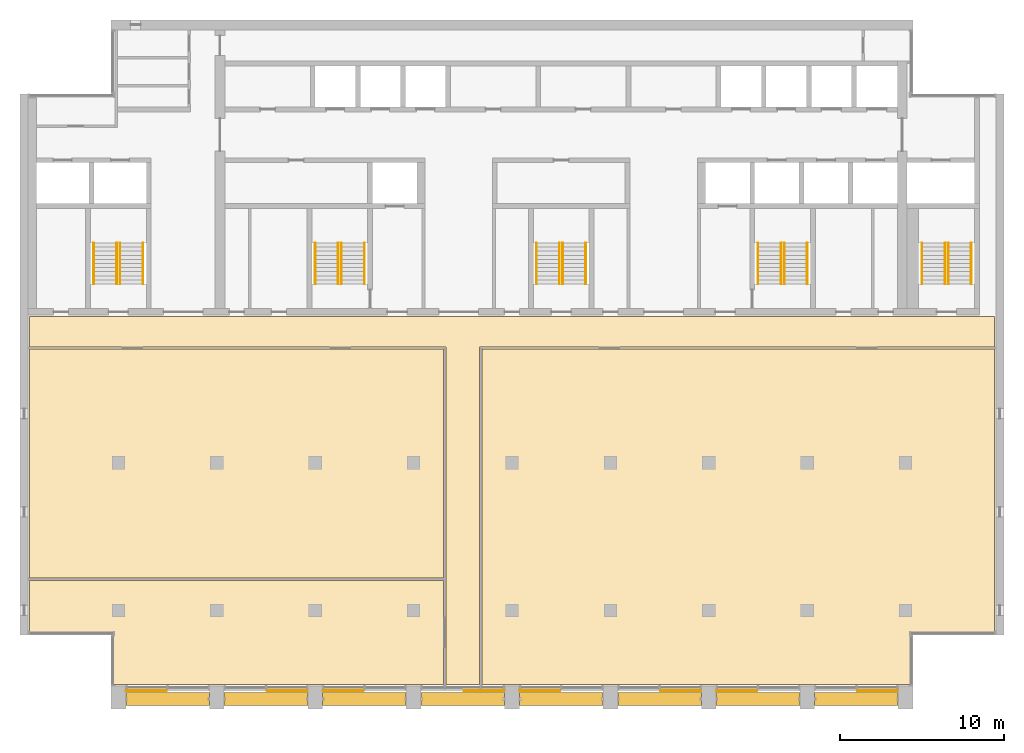
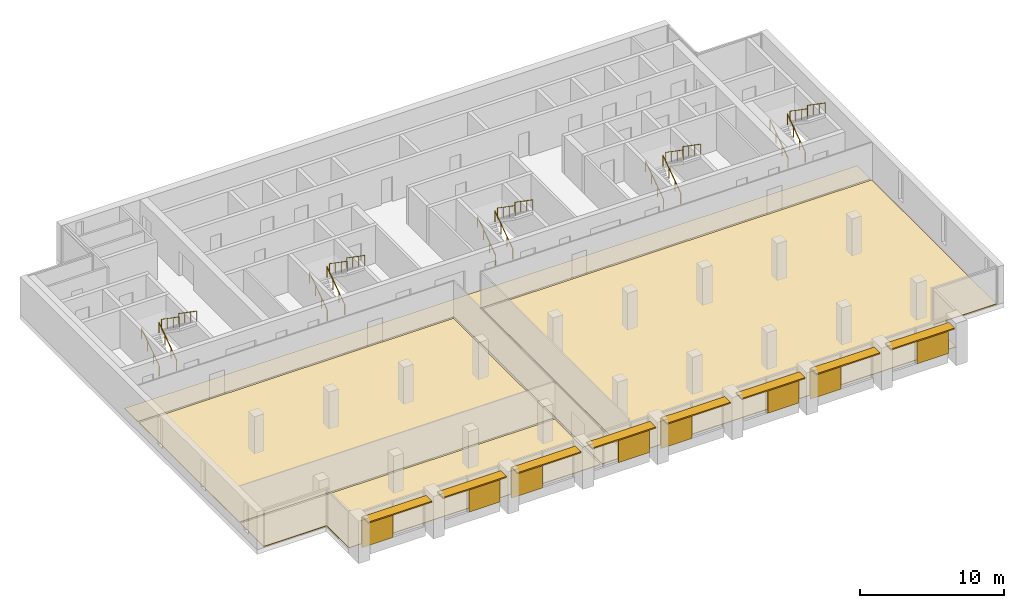
# One storey, part 14 of 14: 20 railings, 16 shading devices, 4 coverings, 5 elements without a shape of their own.
"""IFC4 building model written with IfcOpenShell, lengths in metres."""

from ifc_helpers import new_model, si_unit, direction, frame, origin, origin_2d, place, context, subcontext, project, spatial, polyline, rectangle, circle, outline, extrude, material, layer, layer_set, material_profile, profile_set, type_object, element, aggregate, save


model = new_model("IFC4")

# Units and contexts
model_context = context("Model", 3, precision=1e-05, world=origin(), true_north=direction((0.0, 1.0)))
body_context = subcontext(model_context, "Body", "Model", "MODEL_VIEW")
ifc_project = project(units=[si_unit("LENGTHUNIT", "METRE"), si_unit("AREAUNIT", "SQUARE_METRE"), si_unit("VOLUMEUNIT", "CUBIC_METRE"), si_unit("PLANEANGLEUNIT", "RADIAN"), si_unit("MASSUNIT", "GRAM", prefix="KILO")], contexts=[model_context])

# Site, building, storey
site_placement = place(None, origin())
site = spatial("IfcSite", under=ifc_project, at=site_placement, CompositionType="ELEMENT")
building_placement = place(site_placement, origin())
building = spatial("IfcBuilding", under=site, at=building_placement, Name="Calvaro Tower", CompositionType="ELEMENT")
storey_placement = place(building_placement, frame((0.0, 0.0, 262.14990234375)))
storey = spatial("IfcBuildingStorey", under=building, at=storey_placement, Name="L66", CompositionType="ELEMENT", Elevation=262.14990234375)

# Shading devices
ifc_material_1 = material(Name="Anodised aluminium", Category="aluminium")
ifc_material_profile = material_profile(ifc_material_1, rectangle(XDim=0.800048828125, YDim=0.10009765625, at=origin_2d()), Name="Brise-soleil blade 800 x 100")
ifc_profile_set = profile_set([ifc_material_profile], Name="Anodised aluminium")
shading_device_type_1 = type_object("IfcShadingDeviceType", Name="Brise-soleil blade 800 x 100", PredefinedType="JALOUSIE", material=ifc_profile_set)
for number, where, z_axis, x_axis, name in (
    (1, (12.449951171875, 4.60009765625, 2.650146484375), (1.0, 0.0, 0.0), (0.0, 1.0, 0.0), "Brise-soleil blade 1"),
    (2, (18.449951171875, 4.60009765625, 2.650146484375), (1.0, 0.0, 0.0), (0.0, 1.0, 0.0), "Brise-soleil blade 2"),
    (3, (24.449951171875, 4.60009765625, 2.650146484375), (1.0, 0.0, 0.0), (0.0, 1.0, 0.0), "Brise-soleil blade 3"),
    (4, (30.449951171875, 4.60009765625, 2.650146484375), (1.0, 0.0, 0.0), (0.0, 1.0, 0.0), "Brise-soleil blade 4"),
    (5, (36.449951171875, 4.60009765625, 2.650146484375), (1.0, 0.0, 0.0), (0.0, 1.0, 0.0), "Brise-soleil blade 5"),
    (6, (42.449951171875, 4.60009765625, 2.650146484375), (1.0, 0.0, 0.0), (0.0, 1.0, 0.0), "Brise-soleil blade 6"),
    (7, (48.449951171875, 4.60009765625, 2.650146484375), (1.0, 0.0, 0.0), (0.0, 1.0, 0.0), "Brise-soleil blade 7"),
    (8, (54.449951171875, 4.60009765625, 2.650146484375), (1.0, 0.0, 0.0), (0.0, 1.0, 0.0), "Brise-soleil blade 8"),
):
    element("IfcShadingDevice", number, at=place(storey_placement, frame(where, z_axis=z_axis, x_axis=x_axis)), inside=storey, type_object=shading_device_type_1, Name=name, PredefinedType="JALOUSIE", context=body_context, shape_type="SweptSolid", body=[
        extrude(rectangle(XDim=0.800048828125, YDim=0.10009765625, at=origin_2d()), origin(), (0.0, 0.0, 1.0), 5.10009765625),
    ])

# Coverings
ifc_material_2 = material(Name="Cement screed with carpet tile finish")
ifc_layer_1 = layer(ifc_material_2, 0.050048828125)
ifc_layer_set_1 = layer_set([ifc_layer_1], Name="Cement screed with carpet tile finish")
covering_type = type_object("IfcCoveringType", Name="Floor finish 50", PredefinedType="FLOORING", material=ifc_layer_set_1)
covering_1_placement = place(storey_placement, origin())
element("IfcCovering", 9, at=covering_1_placement, inside=storey, type_object=covering_type, Name="Floor finish 38.01", PredefinedType="FLOORING", context=body_context, shape_type="SweptSolid", body=[
    extrude(outline(polyline([(31.969970703125, 5.469970703125), (31.969970703125, 26.070068359375), (6.570068359375, 26.070068359375), (6.570068359375, 27.929931640625), (65.429931640625, 27.929931640625), (65.429931640625, 26.070068359375), (34.030029296875, 26.070068359375), (34.030029296875, 5.469970703125), (31.969970703125, 5.469970703125)])), origin(), (0.0, 0.0, 1.0), 0.050048828125),
])
covering_2_placement = place(storey_placement, origin())
element("IfcCovering", 10, at=covering_2_placement, inside=storey, type_object=covering_type, Name="Floor finish 38.02", PredefinedType="FLOORING", context=body_context, shape_type="SweptSolid", body=[
    extrude(outline(polyline([(31.830078125, 11.830078125), (31.830078125, 5.469970703125), (11.6201171875, 5.469970703125), (11.6201171875, 8.570068359375), (6.570068359375, 8.570068359375), (6.570068359375, 11.830078125), (31.830078125, 11.830078125)])), origin(), (0.0, 0.0, 1.0), 0.050048828125),
])
covering_3_placement = place(storey_placement, origin())
element("IfcCovering", 11, at=covering_3_placement, inside=storey, type_object=covering_type, Name="Floor finish 38.04", PredefinedType="FLOORING", context=body_context, shape_type="SweptSolid", body=[
    extrude(outline(polyline([(31.830078125, 25.929931640625), (31.830078125, 11.969970703125), (6.570068359375, 11.969970703125), (6.570068359375, 25.929931640625), (31.830078125, 25.929931640625)])), origin(), (0.0, 0.0, 1.0), 0.050048828125),
])
covering_4_placement = place(storey_placement, origin())
element("IfcCovering", 12, at=covering_4_placement, inside=storey, type_object=covering_type, Name="Floor finish 38.03", PredefinedType="FLOORING", context=body_context, shape_type="SweptSolid", body=[
    extrude(outline(polyline([(65.429931640625, 8.570068359375), (60.3798828125, 8.570068359375), (60.3798828125, 5.469970703125), (34.169921875, 5.469970703125), (34.169921875, 25.929931640625), (65.429931640625, 25.929931640625), (65.429931640625, 8.570068359375)])), origin(), (0.0, 0.0, 1.0), 0.050048828125),
])

# Shading devices
ifc_material_3 = material(Name="Ceramic")
ifc_layer_2 = layer(ifc_material_3, 0.0400390625)
ifc_layer_set_2 = layer_set([ifc_layer_2], Name="Ceramic")
shading_device_type_2 = type_object("IfcShadingDeviceType", Name="Sliding ceramic screen 2500", PredefinedType="SHUTTER", material=ifc_layer_set_2)
for number, where, z_axis, x_axis, name in (
    (13, (13.699951171875, 5.10009765625, 0.0), (0.0, 0.0, 1.0), (1.0, 0.0, 0.0), "Sliding screen 1"),
    (14, (22.300048828125, 5.10009765625, 0.0), (0.0, 0.0, 1.0), (1.0, 0.0, 0.0), "Sliding screen 2"),
    (15, (25.699951171875, 5.10009765625, 0.0), (0.0, 0.0, 1.0), (1.0, 0.0, 0.0), "Sliding screen 3"),
    (16, (34.300048828125, 5.10009765625, 0.0), (0.0, 0.0, 1.0), (1.0, 0.0, 0.0), "Sliding screen 4"),
    (17, (37.699951171875, 5.10009765625, 0.0), (0.0, 0.0, 1.0), (1.0, 0.0, 0.0), "Sliding screen 5"),
    (18, (46.300048828125, 5.10009765625, 0.0), (0.0, 0.0, 1.0), (1.0, 0.0, 0.0), "Sliding screen 6"),
    (19, (49.699951171875, 5.10009765625, 0.0), (0.0, 0.0, 1.0), (1.0, 0.0, 0.0), "Sliding screen 7"),
    (20, (58.300048828125, 5.10009765625, 0.0), (0.0, 0.0, 1.0), (1.0, 0.0, 0.0), "Sliding screen 8"),
):
    element("IfcShadingDevice", number, at=place(storey_placement, frame(where, z_axis=z_axis, x_axis=x_axis)), inside=storey, type_object=shading_device_type_2, Name=name, PredefinedType="SHUTTER", context=body_context, shape_type="SweptSolid", body=[
        extrude(rectangle(XDim=2.5, YDim=0.0400390625, at=origin_2d()), origin(), (0.0, 0.0, 1.0), 2.60009765625),
    ])

# Stair, railings
ifc_material_4 = material(Name="Concrete C40/50", Category="concrete")
stair_type = type_object("IfcStairType", Name="Exit stair 1400 2 flights", PredefinedType="HALF_TURN_STAIR", material=ifc_material_4)
stair_1_placement = place(storey_placement, origin())
stair_1 = element("IfcStair", 21, at=stair_1_placement, inside=storey, type_object=stair_type, Name="Exit stair S1", PredefinedType="HALF_TURN_STAIR")
ifc_material_5 = material(Name="Stainless steel", Category="steel")
railing_type = type_object("IfcRailingType", Name="Stair handrail", PredefinedType="HANDRAIL", material=ifc_material_5)
railing_1_placement = place(storey_placement, frame((11.89990234375, 29.89990234375, 0.1728515625)))
railing_1 = element("IfcRailing", 22, at=railing_1_placement, type_object=railing_type, Name="Exit stair 1 handrail", PredefinedType="HANDRAIL", context=body_context, shape_type="SweptSolid", body=[
    extrude(circle(Radius=0.02392578125, at=origin_2d()), frame((0.0, 0.0, 0.8759765625), z_axis=(0.0, 0.822726922227, 0.568436813941), x_axis=(-1.0, 0.0, 0.0)), (0.0, 0.0, 1.0), 3.03857421875),
    extrude(circle(Radius=0.02099609375, at=origin_2d()), frame((0.0, 0.017333984375, 0.011962890625)), (0.0, 0.0, 1.0), 0.851806640625),
    extrude(circle(Radius=0.02099609375, at=origin_2d()), frame((0.0, 0.833251953125, 0.57568359375)), (0.0, 0.0, 1.0), 0.851806640625),
    extrude(circle(Radius=0.02099609375, at=origin_2d()), frame((0.0, 1.666748046875, 1.151611328125)), (0.0, 0.0, 1.0), 0.851806640625),
    extrude(circle(Radius=0.02099609375, at=origin_2d()), frame((0.0, 2.482666015625, 1.71533203125)), (0.0, 0.0, 1.0), 0.851806640625),
])
railing_2_placement = place(storey_placement, frame((10.5, 29.89990234375, 0.1728515625)))
railing_2 = element("IfcRailing", 23, at=railing_2_placement, type_object=railing_type, Name="Exit stair 1 handrail", PredefinedType="HANDRAIL", context=body_context, shape_type="SweptSolid", body=[
    extrude(circle(Radius=0.02392578125, at=origin_2d()), frame((0.0, 0.0, 0.8759765625), z_axis=(0.0, 0.822726922227, 0.568436813941), x_axis=(-1.0, 0.0, 0.0)), (0.0, 0.0, 1.0), 3.03857421875),
    extrude(circle(Radius=0.02099609375, at=origin_2d()), frame((0.0, 0.017333984375, 0.011962890625)), (0.0, 0.0, 1.0), 0.851806640625),
    extrude(circle(Radius=0.02099609375, at=origin_2d()), frame((0.0, 0.833251953125, 0.57568359375)), (0.0, 0.0, 1.0), 0.851806640625),
    extrude(circle(Radius=0.02099609375, at=origin_2d()), frame((0.0, 1.666748046875, 1.151611328125)), (0.0, 0.0, 1.0), 0.851806640625),
    extrude(circle(Radius=0.02099609375, at=origin_2d()), frame((0.0, 2.482666015625, 1.71533203125)), (0.0, 0.0, 1.0), 0.851806640625),
])
railing_3_placement = place(storey_placement, frame((12.10009765625, 32.39990234375, 2.07275390625)))
railing_3 = element("IfcRailing", 24, at=railing_3_placement, type_object=railing_type, Name="Exit stair 1 handrail", PredefinedType="HANDRAIL", context=body_context, shape_type="SweptSolid", body=[
    extrude(circle(Radius=0.02392578125, at=origin_2d()), frame((0.0, 0.0, 0.8759765625), z_axis=(0.0, -0.822726922227, 0.568436813941), x_axis=(1.0, 0.0, 0.0)), (0.0, 0.0, 1.0), 3.03857421875),
    extrude(circle(Radius=0.02099609375, at=origin_2d()), frame((0.0, -0.017333984375, 0.011962890625)), (0.0, 0.0, 1.0), 0.851806640625),
    extrude(circle(Radius=0.02099609375, at=origin_2d()), frame((0.0, -0.833251953125, 0.57568359375)), (0.0, 0.0, 1.0), 0.851806640625),
    extrude(circle(Radius=0.02099609375, at=origin_2d()), frame((0.0, -1.666748046875, 1.151611328125)), (0.0, 0.0, 1.0), 0.851806640625),
    extrude(circle(Radius=0.02099609375, at=origin_2d()), frame((0.0, -2.482666015625, 1.71533203125)), (0.0, 0.0, 1.0), 0.851806640625),
])
railing_4_placement = place(storey_placement, frame((13.5, 32.39990234375, 2.07275390625)))
railing_4 = element("IfcRailing", 25, at=railing_4_placement, type_object=railing_type, Name="Exit stair 1 handrail", PredefinedType="HANDRAIL", context=body_context, shape_type="SweptSolid", body=[
    extrude(circle(Radius=0.02392578125, at=origin_2d()), frame((0.0, 0.0, 0.8759765625), z_axis=(0.0, -0.822726922227, 0.568436813941), x_axis=(1.0, 0.0, 0.0)), (0.0, 0.0, 1.0), 3.03857421875),
    extrude(circle(Radius=0.02099609375, at=origin_2d()), frame((0.0, -0.017333984375, 0.011962890625)), (0.0, 0.0, 1.0), 0.851806640625),
    extrude(circle(Radius=0.02099609375, at=origin_2d()), frame((0.0, -0.833251953125, 0.57568359375)), (0.0, 0.0, 1.0), 0.851806640625),
    extrude(circle(Radius=0.02099609375, at=origin_2d()), frame((0.0, -1.666748046875, 1.151611328125)), (0.0, 0.0, 1.0), 0.851806640625),
    extrude(circle(Radius=0.02099609375, at=origin_2d()), frame((0.0, -2.482666015625, 1.71533203125)), (0.0, 0.0, 1.0), 0.851806640625),
])
aggregate(stair_1, [railing_1, railing_2, railing_3, railing_4])

stair_2_placement = place(storey_placement, origin())
stair_2 = element("IfcStair", 26, at=stair_2_placement, inside=storey, type_object=stair_type, Name="Exit stair S2", PredefinedType="HALF_TURN_STAIR")
railing_5_placement = place(storey_placement, frame((25.39990234375, 29.89990234375, 0.1728515625)))
railing_5 = element("IfcRailing", 27, at=railing_5_placement, type_object=railing_type, Name="Exit stair 2 handrail", PredefinedType="HANDRAIL", context=body_context, shape_type="SweptSolid", body=[
    extrude(circle(Radius=0.02392578125, at=origin_2d()), frame((0.0, 0.0, 0.8759765625), z_axis=(0.0, 0.822726922227, 0.568436813941), x_axis=(-1.0, 0.0, 0.0)), (0.0, 0.0, 1.0), 3.03857421875),
    extrude(circle(Radius=0.02099609375, at=origin_2d()), frame((0.0, 0.017333984375, 0.011962890625)), (0.0, 0.0, 1.0), 0.851806640625),
    extrude(circle(Radius=0.02099609375, at=origin_2d()), frame((0.0, 0.833251953125, 0.57568359375)), (0.0, 0.0, 1.0), 0.851806640625),
    extrude(circle(Radius=0.02099609375, at=origin_2d()), frame((0.0, 1.666748046875, 1.151611328125)), (0.0, 0.0, 1.0), 0.851806640625),
    extrude(circle(Radius=0.02099609375, at=origin_2d()), frame((0.0, 2.482666015625, 1.71533203125)), (0.0, 0.0, 1.0), 0.851806640625),
])
railing_6_placement = place(storey_placement, frame((24.0, 29.89990234375, 0.1728515625)))
railing_6 = element("IfcRailing", 28, at=railing_6_placement, type_object=railing_type, Name="Exit stair 2 handrail", PredefinedType="HANDRAIL", context=body_context, shape_type="SweptSolid", body=[
    extrude(circle(Radius=0.02392578125, at=origin_2d()), frame((0.0, 0.0, 0.8759765625), z_axis=(0.0, 0.822726922227, 0.568436813941), x_axis=(-1.0, 0.0, 0.0)), (0.0, 0.0, 1.0), 3.03857421875),
    extrude(circle(Radius=0.02099609375, at=origin_2d()), frame((0.0, 0.017333984375, 0.011962890625)), (0.0, 0.0, 1.0), 0.851806640625),
    extrude(circle(Radius=0.02099609375, at=origin_2d()), frame((0.0, 0.833251953125, 0.57568359375)), (0.0, 0.0, 1.0), 0.851806640625),
    extrude(circle(Radius=0.02099609375, at=origin_2d()), frame((0.0, 1.666748046875, 1.151611328125)), (0.0, 0.0, 1.0), 0.851806640625),
    extrude(circle(Radius=0.02099609375, at=origin_2d()), frame((0.0, 2.482666015625, 1.71533203125)), (0.0, 0.0, 1.0), 0.851806640625),
])
railing_7_placement = place(storey_placement, frame((25.60009765625, 32.39990234375, 2.07275390625)))
railing_7 = element("IfcRailing", 29, at=railing_7_placement, type_object=railing_type, Name="Exit stair 2 handrail", PredefinedType="HANDRAIL", context=body_context, shape_type="SweptSolid", body=[
    extrude(circle(Radius=0.02392578125, at=origin_2d()), frame((0.0, 0.0, 0.8759765625), z_axis=(0.0, -0.822726922227, 0.568436813941), x_axis=(1.0, 0.0, 0.0)), (0.0, 0.0, 1.0), 3.03857421875),
    extrude(circle(Radius=0.02099609375, at=origin_2d()), frame((0.0, -0.017333984375, 0.011962890625)), (0.0, 0.0, 1.0), 0.851806640625),
    extrude(circle(Radius=0.02099609375, at=origin_2d()), frame((0.0, -0.833251953125, 0.57568359375)), (0.0, 0.0, 1.0), 0.851806640625),
    extrude(circle(Radius=0.02099609375, at=origin_2d()), frame((0.0, -1.666748046875, 1.151611328125)), (0.0, 0.0, 1.0), 0.851806640625),
    extrude(circle(Radius=0.02099609375, at=origin_2d()), frame((0.0, -2.482666015625, 1.71533203125)), (0.0, 0.0, 1.0), 0.851806640625),
])
railing_8_placement = place(storey_placement, frame((27.0, 32.39990234375, 2.07275390625)))
railing_8 = element("IfcRailing", 30, at=railing_8_placement, type_object=railing_type, Name="Exit stair 2 handrail", PredefinedType="HANDRAIL", context=body_context, shape_type="SweptSolid", body=[
    extrude(circle(Radius=0.02392578125, at=origin_2d()), frame((0.0, 0.0, 0.8759765625), z_axis=(0.0, -0.822726922227, 0.568436813941), x_axis=(1.0, 0.0, 0.0)), (0.0, 0.0, 1.0), 3.03857421875),
    extrude(circle(Radius=0.02099609375, at=origin_2d()), frame((0.0, -0.017333984375, 0.011962890625)), (0.0, 0.0, 1.0), 0.851806640625),
    extrude(circle(Radius=0.02099609375, at=origin_2d()), frame((0.0, -0.833251953125, 0.57568359375)), (0.0, 0.0, 1.0), 0.851806640625),
    extrude(circle(Radius=0.02099609375, at=origin_2d()), frame((0.0, -1.666748046875, 1.151611328125)), (0.0, 0.0, 1.0), 0.851806640625),
    extrude(circle(Radius=0.02099609375, at=origin_2d()), frame((0.0, -2.482666015625, 1.71533203125)), (0.0, 0.0, 1.0), 0.851806640625),
])
aggregate(stair_2, [railing_5, railing_6, railing_7, railing_8])

stair_3_placement = place(storey_placement, origin())
stair_3 = element("IfcStair", 31, at=stair_3_placement, inside=storey, type_object=stair_type, Name="Exit stair S3", PredefinedType="HALF_TURN_STAIR")
railing_9_placement = place(storey_placement, frame((38.89990234375, 29.89990234375, 0.1728515625)))
railing_9 = element("IfcRailing", 32, at=railing_9_placement, type_object=railing_type, Name="Exit stair 3 handrail", PredefinedType="HANDRAIL", context=body_context, shape_type="SweptSolid", body=[
    extrude(circle(Radius=0.02392578125, at=origin_2d()), frame((0.0, 0.0, 0.8759765625), z_axis=(0.0, 0.822726922227, 0.568436813941), x_axis=(-1.0, 0.0, 0.0)), (0.0, 0.0, 1.0), 3.03857421875),
    extrude(circle(Radius=0.02099609375, at=origin_2d()), frame((0.0, 0.017333984375, 0.011962890625)), (0.0, 0.0, 1.0), 0.851806640625),
    extrude(circle(Radius=0.02099609375, at=origin_2d()), frame((0.0, 0.833251953125, 0.57568359375)), (0.0, 0.0, 1.0), 0.851806640625),
    extrude(circle(Radius=0.02099609375, at=origin_2d()), frame((0.0, 1.666748046875, 1.151611328125)), (0.0, 0.0, 1.0), 0.851806640625),
    extrude(circle(Radius=0.02099609375, at=origin_2d()), frame((0.0, 2.482666015625, 1.71533203125)), (0.0, 0.0, 1.0), 0.851806640625),
])
railing_10_placement = place(storey_placement, frame((37.5, 29.89990234375, 0.1728515625)))
railing_10 = element("IfcRailing", 33, at=railing_10_placement, type_object=railing_type, Name="Exit stair 3 handrail", PredefinedType="HANDRAIL", context=body_context, shape_type="SweptSolid", body=[
    extrude(circle(Radius=0.02392578125, at=origin_2d()), frame((0.0, 0.0, 0.8759765625), z_axis=(0.0, 0.822726922227, 0.568436813941), x_axis=(-1.0, 0.0, 0.0)), (0.0, 0.0, 1.0), 3.03857421875),
    extrude(circle(Radius=0.02099609375, at=origin_2d()), frame((0.0, 0.017333984375, 0.011962890625)), (0.0, 0.0, 1.0), 0.851806640625),
    extrude(circle(Radius=0.02099609375, at=origin_2d()), frame((0.0, 0.833251953125, 0.57568359375)), (0.0, 0.0, 1.0), 0.851806640625),
    extrude(circle(Radius=0.02099609375, at=origin_2d()), frame((0.0, 1.666748046875, 1.151611328125)), (0.0, 0.0, 1.0), 0.851806640625),
    extrude(circle(Radius=0.02099609375, at=origin_2d()), frame((0.0, 2.482666015625, 1.71533203125)), (0.0, 0.0, 1.0), 0.851806640625),
])
railing_11_placement = place(storey_placement, frame((39.10009765625, 32.39990234375, 2.07275390625)))
railing_11 = element("IfcRailing", 34, at=railing_11_placement, type_object=railing_type, Name="Exit stair 3 handrail", PredefinedType="HANDRAIL", context=body_context, shape_type="SweptSolid", body=[
    extrude(circle(Radius=0.02392578125, at=origin_2d()), frame((0.0, 0.0, 0.8759765625), z_axis=(0.0, -0.822726922227, 0.568436813941), x_axis=(1.0, 0.0, 0.0)), (0.0, 0.0, 1.0), 3.03857421875),
    extrude(circle(Radius=0.02099609375, at=origin_2d()), frame((0.0, -0.017333984375, 0.011962890625)), (0.0, 0.0, 1.0), 0.851806640625),
    extrude(circle(Radius=0.02099609375, at=origin_2d()), frame((0.0, -0.833251953125, 0.57568359375)), (0.0, 0.0, 1.0), 0.851806640625),
    extrude(circle(Radius=0.02099609375, at=origin_2d()), frame((0.0, -1.666748046875, 1.151611328125)), (0.0, 0.0, 1.0), 0.851806640625),
    extrude(circle(Radius=0.02099609375, at=origin_2d()), frame((0.0, -2.482666015625, 1.71533203125)), (0.0, 0.0, 1.0), 0.851806640625),
])
railing_12_placement = place(storey_placement, frame((40.5, 32.39990234375, 2.07275390625)))
railing_12 = element("IfcRailing", 35, at=railing_12_placement, type_object=railing_type, Name="Exit stair 3 handrail", PredefinedType="HANDRAIL", context=body_context, shape_type="SweptSolid", body=[
    extrude(circle(Radius=0.02392578125, at=origin_2d()), frame((0.0, 0.0, 0.8759765625), z_axis=(0.0, -0.822726922227, 0.568436813941), x_axis=(1.0, 0.0, 0.0)), (0.0, 0.0, 1.0), 3.03857421875),
    extrude(circle(Radius=0.02099609375, at=origin_2d()), frame((0.0, -0.017333984375, 0.011962890625)), (0.0, 0.0, 1.0), 0.851806640625),
    extrude(circle(Radius=0.02099609375, at=origin_2d()), frame((0.0, -0.833251953125, 0.57568359375)), (0.0, 0.0, 1.0), 0.851806640625),
    extrude(circle(Radius=0.02099609375, at=origin_2d()), frame((0.0, -1.666748046875, 1.151611328125)), (0.0, 0.0, 1.0), 0.851806640625),
    extrude(circle(Radius=0.02099609375, at=origin_2d()), frame((0.0, -2.482666015625, 1.71533203125)), (0.0, 0.0, 1.0), 0.851806640625),
])
aggregate(stair_3, [railing_9, railing_10, railing_11, railing_12])

stair_4_placement = place(storey_placement, origin())
stair_4 = element("IfcStair", 36, at=stair_4_placement, inside=storey, type_object=stair_type, Name="Exit stair S4", PredefinedType="HALF_TURN_STAIR")
railing_13_placement = place(storey_placement, frame((52.39990234375, 29.89990234375, 0.1728515625)))
railing_13 = element("IfcRailing", 37, at=railing_13_placement, type_object=railing_type, Name="Exit stair 4 handrail", PredefinedType="HANDRAIL", context=body_context, shape_type="SweptSolid", body=[
    extrude(circle(Radius=0.02392578125, at=origin_2d()), frame((0.0, 0.0, 0.8759765625), z_axis=(0.0, 0.822726922227, 0.568436813941), x_axis=(-1.0, 0.0, 0.0)), (0.0, 0.0, 1.0), 3.03857421875),
    extrude(circle(Radius=0.02099609375, at=origin_2d()), frame((0.0, 0.017333984375, 0.011962890625)), (0.0, 0.0, 1.0), 0.851806640625),
    extrude(circle(Radius=0.02099609375, at=origin_2d()), frame((0.0, 0.833251953125, 0.57568359375)), (0.0, 0.0, 1.0), 0.851806640625),
    extrude(circle(Radius=0.02099609375, at=origin_2d()), frame((0.0, 1.666748046875, 1.151611328125)), (0.0, 0.0, 1.0), 0.851806640625),
    extrude(circle(Radius=0.02099609375, at=origin_2d()), frame((0.0, 2.482666015625, 1.71533203125)), (0.0, 0.0, 1.0), 0.851806640625),
])
railing_14_placement = place(storey_placement, frame((51.0, 29.89990234375, 0.1728515625)))
railing_14 = element("IfcRailing", 38, at=railing_14_placement, type_object=railing_type, Name="Exit stair 4 handrail", PredefinedType="HANDRAIL", context=body_context, shape_type="SweptSolid", body=[
    extrude(circle(Radius=0.02392578125, at=origin_2d()), frame((0.0, 0.0, 0.8759765625), z_axis=(0.0, 0.822726922227, 0.568436813941), x_axis=(-1.0, 0.0, 0.0)), (0.0, 0.0, 1.0), 3.03857421875),
    extrude(circle(Radius=0.02099609375, at=origin_2d()), frame((0.0, 0.017333984375, 0.011962890625)), (0.0, 0.0, 1.0), 0.851806640625),
    extrude(circle(Radius=0.02099609375, at=origin_2d()), frame((0.0, 0.833251953125, 0.57568359375)), (0.0, 0.0, 1.0), 0.851806640625),
    extrude(circle(Radius=0.02099609375, at=origin_2d()), frame((0.0, 1.666748046875, 1.151611328125)), (0.0, 0.0, 1.0), 0.851806640625),
    extrude(circle(Radius=0.02099609375, at=origin_2d()), frame((0.0, 2.482666015625, 1.71533203125)), (0.0, 0.0, 1.0), 0.851806640625),
])
railing_15_placement = place(storey_placement, frame((52.60009765625, 32.39990234375, 2.07275390625)))
railing_15 = element("IfcRailing", 39, at=railing_15_placement, type_object=railing_type, Name="Exit stair 4 handrail", PredefinedType="HANDRAIL", context=body_context, shape_type="SweptSolid", body=[
    extrude(circle(Radius=0.02392578125, at=origin_2d()), frame((0.0, 0.0, 0.8759765625), z_axis=(0.0, -0.822726922227, 0.568436813941), x_axis=(1.0, 0.0, 0.0)), (0.0, 0.0, 1.0), 3.03857421875),
    extrude(circle(Radius=0.02099609375, at=origin_2d()), frame((0.0, -0.017333984375, 0.011962890625)), (0.0, 0.0, 1.0), 0.851806640625),
    extrude(circle(Radius=0.02099609375, at=origin_2d()), frame((0.0, -0.833251953125, 0.57568359375)), (0.0, 0.0, 1.0), 0.851806640625),
    extrude(circle(Radius=0.02099609375, at=origin_2d()), frame((0.0, -1.666748046875, 1.151611328125)), (0.0, 0.0, 1.0), 0.851806640625),
    extrude(circle(Radius=0.02099609375, at=origin_2d()), frame((0.0, -2.482666015625, 1.71533203125)), (0.0, 0.0, 1.0), 0.851806640625),
])
railing_16_placement = place(storey_placement, frame((54.0, 32.39990234375, 2.07275390625)))
railing_16 = element("IfcRailing", 40, at=railing_16_placement, type_object=railing_type, Name="Exit stair 4 handrail", PredefinedType="HANDRAIL", context=body_context, shape_type="SweptSolid", body=[
    extrude(circle(Radius=0.02392578125, at=origin_2d()), frame((0.0, 0.0, 0.8759765625), z_axis=(0.0, -0.822726922227, 0.568436813941), x_axis=(1.0, 0.0, 0.0)), (0.0, 0.0, 1.0), 3.03857421875),
    extrude(circle(Radius=0.02099609375, at=origin_2d()), frame((0.0, -0.017333984375, 0.011962890625)), (0.0, 0.0, 1.0), 0.851806640625),
    extrude(circle(Radius=0.02099609375, at=origin_2d()), frame((0.0, -0.833251953125, 0.57568359375)), (0.0, 0.0, 1.0), 0.851806640625),
    extrude(circle(Radius=0.02099609375, at=origin_2d()), frame((0.0, -1.666748046875, 1.151611328125)), (0.0, 0.0, 1.0), 0.851806640625),
    extrude(circle(Radius=0.02099609375, at=origin_2d()), frame((0.0, -2.482666015625, 1.71533203125)), (0.0, 0.0, 1.0), 0.851806640625),
])
aggregate(stair_4, [railing_13, railing_14, railing_15, railing_16])

stair_5_placement = place(storey_placement, origin())
stair_5 = element("IfcStair", 41, at=stair_5_placement, inside=storey, type_object=stair_type, Name="Exit stair S5", PredefinedType="HALF_TURN_STAIR")
railing_17_placement = place(storey_placement, frame((62.39990234375, 29.89990234375, 0.1728515625)))
railing_17 = element("IfcRailing", 42, at=railing_17_placement, type_object=railing_type, Name="Exit stair 5 handrail", PredefinedType="HANDRAIL", context=body_context, shape_type="SweptSolid", body=[
    extrude(circle(Radius=0.02392578125, at=origin_2d()), frame((0.0, 0.0, 0.8759765625), z_axis=(0.0, 0.822726922227, 0.568436813941), x_axis=(-1.0, 0.0, 0.0)), (0.0, 0.0, 1.0), 3.03857421875),
    extrude(circle(Radius=0.02099609375, at=origin_2d()), frame((0.0, 0.017333984375, 0.011962890625)), (0.0, 0.0, 1.0), 0.851806640625),
    extrude(circle(Radius=0.02099609375, at=origin_2d()), frame((0.0, 0.833251953125, 0.57568359375)), (0.0, 0.0, 1.0), 0.851806640625),
    extrude(circle(Radius=0.02099609375, at=origin_2d()), frame((0.0, 1.666748046875, 1.151611328125)), (0.0, 0.0, 1.0), 0.851806640625),
    extrude(circle(Radius=0.02099609375, at=origin_2d()), frame((0.0, 2.482666015625, 1.71533203125)), (0.0, 0.0, 1.0), 0.851806640625),
])
railing_18_placement = place(storey_placement, frame((61.0, 29.89990234375, 0.1728515625)))
railing_18 = element("IfcRailing", 43, at=railing_18_placement, type_object=railing_type, Name="Exit stair 5 handrail", PredefinedType="HANDRAIL", context=body_context, shape_type="SweptSolid", body=[
    extrude(circle(Radius=0.02392578125, at=origin_2d()), frame((0.0, 0.0, 0.8759765625), z_axis=(0.0, 0.822726922227, 0.568436813941), x_axis=(-1.0, 0.0, 0.0)), (0.0, 0.0, 1.0), 3.03857421875),
    extrude(circle(Radius=0.02099609375, at=origin_2d()), frame((0.0, 0.017333984375, 0.011962890625)), (0.0, 0.0, 1.0), 0.851806640625),
    extrude(circle(Radius=0.02099609375, at=origin_2d()), frame((0.0, 0.833251953125, 0.57568359375)), (0.0, 0.0, 1.0), 0.851806640625),
    extrude(circle(Radius=0.02099609375, at=origin_2d()), frame((0.0, 1.666748046875, 1.151611328125)), (0.0, 0.0, 1.0), 0.851806640625),
    extrude(circle(Radius=0.02099609375, at=origin_2d()), frame((0.0, 2.482666015625, 1.71533203125)), (0.0, 0.0, 1.0), 0.851806640625),
])
railing_19_placement = place(storey_placement, frame((62.60009765625, 32.39990234375, 2.07275390625)))
railing_19 = element("IfcRailing", 44, at=railing_19_placement, type_object=railing_type, Name="Exit stair 5 handrail", PredefinedType="HANDRAIL", context=body_context, shape_type="SweptSolid", body=[
    extrude(circle(Radius=0.02392578125, at=origin_2d()), frame((0.0, 0.0, 0.8759765625), z_axis=(0.0, -0.822726922227, 0.568436813941), x_axis=(1.0, 0.0, 0.0)), (0.0, 0.0, 1.0), 3.03857421875),
    extrude(circle(Radius=0.02099609375, at=origin_2d()), frame((0.0, -0.017333984375, 0.011962890625)), (0.0, 0.0, 1.0), 0.851806640625),
    extrude(circle(Radius=0.02099609375, at=origin_2d()), frame((0.0, -0.833251953125, 0.57568359375)), (0.0, 0.0, 1.0), 0.851806640625),
    extrude(circle(Radius=0.02099609375, at=origin_2d()), frame((0.0, -1.666748046875, 1.151611328125)), (0.0, 0.0, 1.0), 0.851806640625),
    extrude(circle(Radius=0.02099609375, at=origin_2d()), frame((0.0, -2.482666015625, 1.71533203125)), (0.0, 0.0, 1.0), 0.851806640625),
])
railing_20_placement = place(storey_placement, frame((64.0, 32.39990234375, 2.07275390625)))
railing_20 = element("IfcRailing", 45, at=railing_20_placement, type_object=railing_type, Name="Exit stair 5 handrail", PredefinedType="HANDRAIL", context=body_context, shape_type="SweptSolid", body=[
    extrude(circle(Radius=0.02392578125, at=origin_2d()), frame((0.0, 0.0, 0.8759765625), z_axis=(0.0, -0.822726922227, 0.568436813941), x_axis=(1.0, 0.0, 0.0)), (0.0, 0.0, 1.0), 3.03857421875),
    extrude(circle(Radius=0.02099609375, at=origin_2d()), frame((0.0, -0.017333984375, 0.011962890625)), (0.0, 0.0, 1.0), 0.851806640625),
    extrude(circle(Radius=0.02099609375, at=origin_2d()), frame((0.0, -0.833251953125, 0.57568359375)), (0.0, 0.0, 1.0), 0.851806640625),
    extrude(circle(Radius=0.02099609375, at=origin_2d()), frame((0.0, -1.666748046875, 1.151611328125)), (0.0, 0.0, 1.0), 0.851806640625),
    extrude(circle(Radius=0.02099609375, at=origin_2d()), frame((0.0, -2.482666015625, 1.71533203125)), (0.0, 0.0, 1.0), 0.851806640625),
])
aggregate(stair_5, [railing_17, railing_18, railing_19, railing_20])

save(model, "model.ifc")
